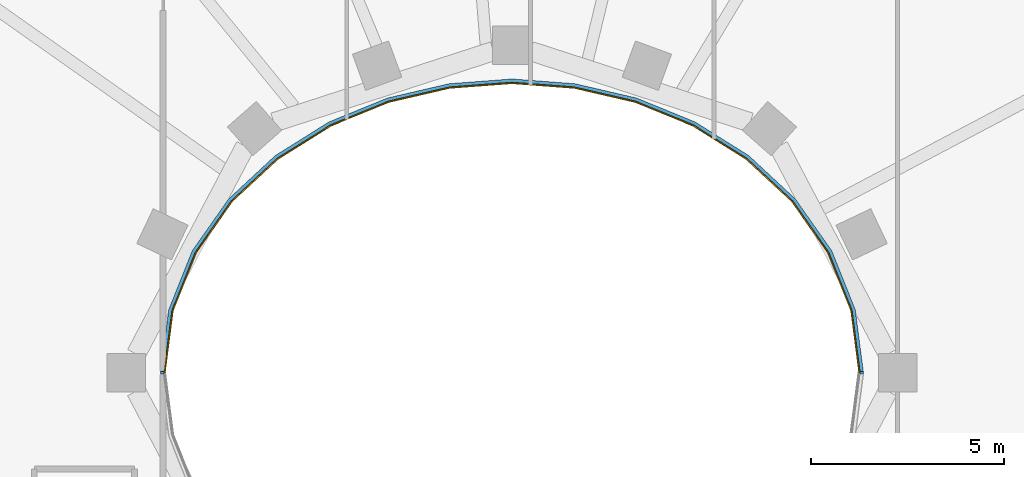
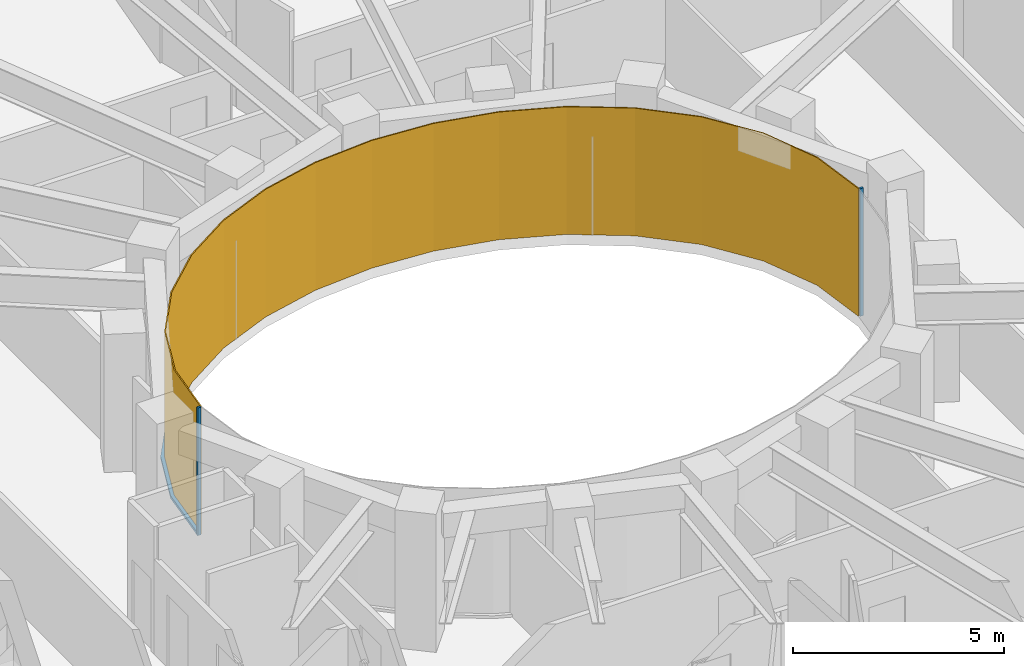
# One storey, part 12 of 16: 3 members, 1 curtain wall.
"""IFC4 building model written with IfcOpenShell, lengths in metres."""

from ifc_helpers import new_model, si_unit, direction, frame, origin, origin_2d, place, context, subcontext, project, spatial, polyline, rectangle, outline, extrude, material, layer, layer_set, material_profile, profile_set, type_object, element, aggregate, save


model = new_model("IFC4")

# Units and contexts
model_context = context("Model", 3, precision=1e-05, world=origin(), true_north=direction((0.0, 1.0)))
body_context = subcontext(model_context, "Body", "Model", "MODEL_VIEW")
ifc_project = project(units=[si_unit("LENGTHUNIT", "METRE"), si_unit("AREAUNIT", "SQUARE_METRE"), si_unit("VOLUMEUNIT", "CUBIC_METRE"), si_unit("PLANEANGLEUNIT", "RADIAN"), si_unit("MASSUNIT", "GRAM", prefix="KILO")], contexts=[model_context])

# Member
ifc_material_1 = material(Name="Steel S355 fire-resisting frame", Category="steel")
ifc_material_profile = material_profile(ifc_material_1, rectangle(XDim=0.090087890625, YDim=0.06005859375, at=origin_2d()), Name="90x60")
ifc_profile_set = profile_set([ifc_material_profile], Name="Steel S355 fire-resisting frame")
member_type_1 = type_object("IfcMemberType", Name="ENV-MULLION-W-90", PredefinedType="MULLION", material=ifc_profile_set)
site_placement = place(None, origin())
building_placement = place(site_placement, origin())
storey_placement = place(building_placement, frame((0.0, 0.0, 257.5)))
member_1_placement = place(storey_placement, frame((9.076904296875, 0.0, 0.0), z_axis=(0.0, 0.0, 1.0), x_axis=(1.0, 0.0, 0.0)))
member_1 = element("IfcMember", 1, at=member_1_placement, type_object=member_type_1, Name="Mullion W well vertex 01", PredefinedType="MULLION", context=body_context, shape_type="SweptSolid", body=[
    extrude(rectangle(XDim=0.090087890625, YDim=0.06005859375, at=origin_2d()), origin(), (0.0, 0.0, 1.0), 3.699951171875),
])

member_2_placement = place(storey_placement, frame((-9.076904296875, 0.0, 0.0), z_axis=(0.0, 0.0, 1.0), x_axis=(-1.0, 0.0, 0.0)))
member_2 = element("IfcMember", 2, at=member_2_placement, type_object=member_type_1, Name="Mullion W well vertex 17", PredefinedType="MULLION", context=body_context, shape_type="SweptSolid", body=[
    extrude(rectangle(XDim=0.090087890625, YDim=0.06005859375, at=origin_2d()), origin(), (0.0, 0.0, 1.0), 3.699951171875),
])

ifc_material_2 = material(Name="Steel S355 fire-resisting frame", Category="steel")
member_type_2 = type_object("IfcMemberType", Name="ENV-TRANSOM-W", PredefinedType="USERDEFINED", material=ifc_material_2)
member_3_placement = place(storey_placement, origin())
member_3 = element("IfcMember", 3, at=member_3_placement, type_object=member_type_2, Name="Transom W well 01-17", ObjectType="TRANSOM", PredefinedType="USERDEFINED", context=body_context, shape_type="SweptSolid", body=[
    extrude(outline(polyline([(9.119384765625, 0.02783203125), (8.910400390625, 1.63623046875), (8.29833984375, 3.167236328125), (7.35107421875, 4.5146484375), (6.1455078125, 5.6337890625), (4.75341796875, 6.50634765625), (3.233642578125, 7.127685546875), (1.635498046875, 7.498779296875), (0.0, 7.622314453125), (-1.635498046875, 7.498779296875), (-3.233642578125, 7.127685546875), (-4.75341796875, 6.50634765625), (-6.1455078125, 5.6337890625), (-7.35107421875, 4.5146484375), (-8.29833984375, 3.167236328125), (-8.910400390625, 1.63623046875), (-9.119384765625, 0.02783203125), (-9.02880859375, 0.02783203125), (-8.822509765625, 1.61328125), (-8.21875, 3.124267578125), (-7.282958984375, 4.455078125), (-6.090576171875, 5.56201171875), (-4.712158203125, 6.426025390625), (-3.206298828125, 7.04150390625), (-1.621826171875, 7.40966796875), (0.0, 7.531982421875), (1.621826171875, 7.40966796875), (3.206298828125, 7.04150390625), (4.712158203125, 6.426025390625), (6.090576171875, 5.56201171875), (7.282958984375, 4.455078125), (8.21875, 3.124267578125), (8.822509765625, 1.61328125), (9.02880859375, 0.02783203125), (9.119384765625, 0.02783203125)])), origin(), (0.0, 0.0, 1.0), 0.080078125),
])

# Site, building, storey
site = spatial("IfcSite", under=ifc_project, at=site_placement, CompositionType="ELEMENT")
building = spatial("IfcBuilding", under=site, at=building_placement, Name="Noorbagh Ring Tower", CompositionType="ELEMENT")
storey = spatial("IfcBuildingStorey", under=building, at=storey_placement, Name="L54", CompositionType="ELEMENT", Elevation=257.5)

# Curtain wall
ifc_material_3 = material(Name="Glass fire-resisting E60 laminated", Category="glass")
ifc_layer = layer(ifc_material_3, 0.031982421875)
ifc_layer_set = layer_set([ifc_layer], Name="Glass fire-resisting E60 laminated")
curtain_wall_type = type_object("IfcCurtainWallType", Name="ENV-CW-W", PredefinedType="NOTDEFINED", material=ifc_layer_set)
curtain_wall_placement = place(storey_placement, origin())
curtain_wall = element("IfcCurtainWall", 4, at=curtain_wall_placement, inside=storey, type_object=curtain_wall_type, Name="Curtain wall W W01", PredefinedType="NOTDEFINED", context=body_context, shape_type="SweptSolid", body=[
    extrude(outline(polyline([(9.0322265625, 0.0), (8.822509765625, 1.61328125), (8.21875, 3.124267578125), (7.282958984375, 4.455078125), (6.090576171875, 5.56201171875), (4.712158203125, 6.426025390625), (3.206298828125, 7.04150390625), (1.621826171875, 7.40966796875), (0.0, 7.531982421875), (-1.621826171875, 7.40966796875), (-3.206298828125, 7.04150390625), (-4.712158203125, 6.426025390625), (-6.090576171875, 5.56201171875), (-7.282958984375, 4.455078125), (-8.21875, 3.124267578125), (-8.822509765625, 1.61328125), (-9.0322265625, 0.0), (-9.0, 0.0), (-8.79150390625, 1.605224609375), (-8.1904296875, 3.10888671875), (-7.2587890625, 4.43408203125), (-6.071044921875, 5.53662109375), (-4.697509765625, 6.3974609375), (-3.196533203125, 7.010986328125), (-1.6171875, 7.3779296875), (0.0, 7.5), (1.6171875, 7.3779296875), (3.196533203125, 7.010986328125), (4.697509765625, 6.3974609375), (6.071044921875, 5.53662109375), (7.2587890625, 4.43408203125), (8.1904296875, 3.10888671875), (8.79150390625, 1.605224609375), (9.0, 0.0), (9.0322265625, 0.0)])), origin(), (0.0, 0.0, 1.0), 3.699951171875),
])

aggregate(curtain_wall, [member_1, member_2, member_3])

save(model, "model.ifc")
